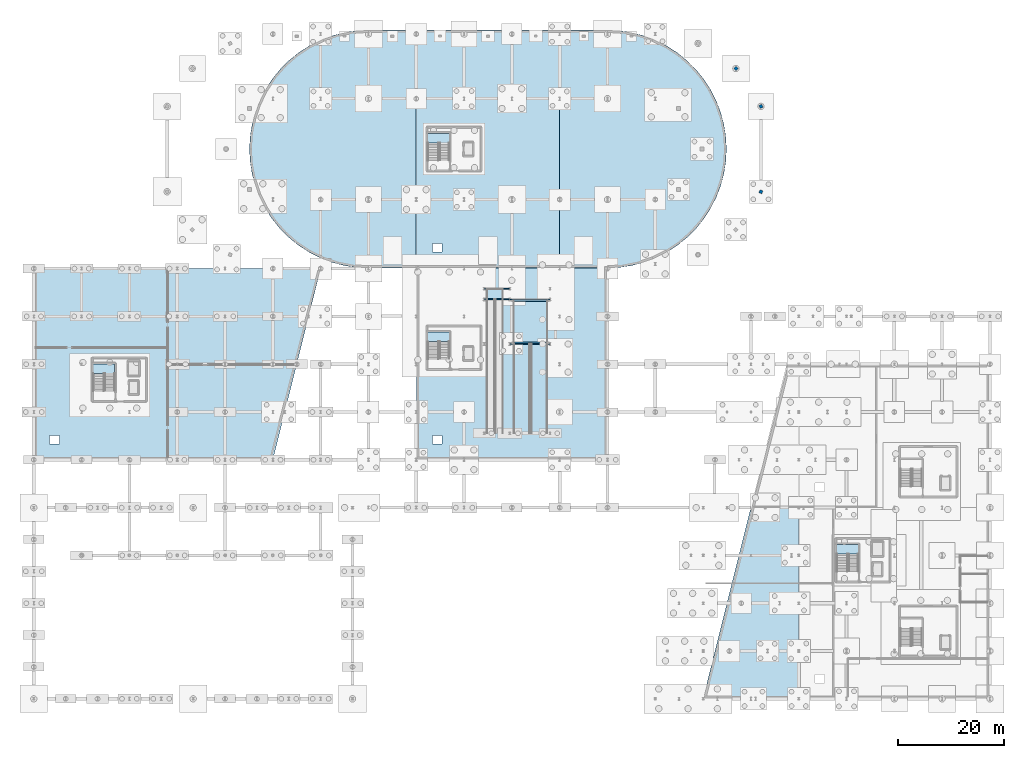
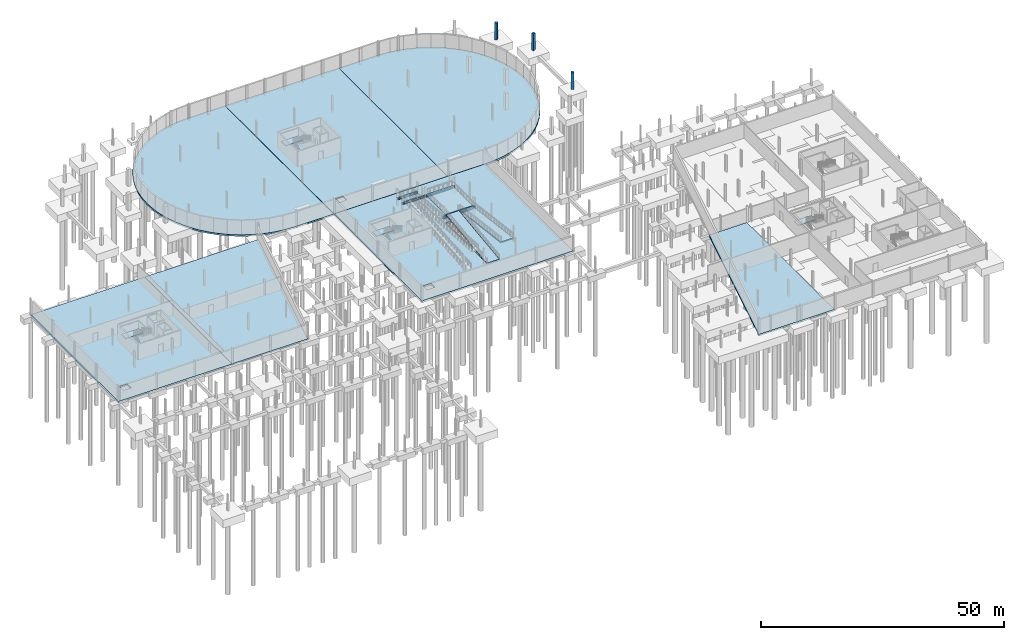
# One storey, part 30 of 42: 15 slabs, 6 beams, 3 columns, 5 elements without a shape of their own.
"""IFC4 building model written with IfcOpenShell, lengths in metres."""

from ifc_helpers import new_model, si_unit, direction, frame, origin, origin_2d, place, context, subcontext, project, spatial, polyline, rectangle, i_section, outline, extrude, material, layer, layer_set, material_profile, profile_set, type_object, element, aggregate, save


model = new_model("IFC4")

# Units and contexts
model_context = context("Model", 3, precision=1e-05, world=origin(), true_north=direction((0.0, 1.0)))
body_context = subcontext(model_context, "Body", "Model", "MODEL_VIEW")
ifc_project = project(units=[si_unit("LENGTHUNIT", "METRE"), si_unit("AREAUNIT", "SQUARE_METRE"), si_unit("VOLUMEUNIT", "CUBIC_METRE"), si_unit("PLANEANGLEUNIT", "RADIAN"), si_unit("MASSUNIT", "GRAM", prefix="KILO")], contexts=[model_context])

# Site, building, storey
site_placement = place(None, origin())
site = spatial("IfcSite", under=ifc_project, at=site_placement, CompositionType="ELEMENT")
building_placement = place(site_placement, origin())
building = spatial("IfcBuilding", under=site, at=building_placement, Name="Deido Ridge Mobility Hub", CompositionType="ELEMENT")
storey_placement = place(building_placement, frame((0.0, 0.0, -4.199951171875)))
storey = spatial("IfcBuildingStorey", under=building, at=storey_placement, Name="B1", CompositionType="ELEMENT", Elevation=-4.199951171875)

# Columns
ifc_material_1 = material(Name="Concrete C40/50", Category="concrete")
ifc_material_profile_1 = material_profile(ifc_material_1, rectangle(XDim=0.60009765625, YDim=0.60009765625, at=origin_2d()), Name="RC COL 600x600")
ifc_profile_set_1 = profile_set([ifc_material_profile_1], Name="Concrete C40/50")
column_type = type_object("IfcColumnType", Name="COL-RC600", PredefinedType="COLUMN", material=ifc_profile_set_1)
for number, where, z_axis, x_axis, name in (
    (1, (136.88818359375, 95.464599609375, 0.0), (0.0, 0.0, 1.0), (0.927183854567, -0.374606593416, 0.0), "Structural column RC2"),
    (2, (136.88818359375, 111.535400390625, 0.0), (0.0, 0.0, 1.0), (0.927183854567, 0.374606593416, 0.0), "Structural column RC2"),
    (3, (132.16748046875, 118.66748046875, 0.0), (0.0, 0.0, 1.0), (0.707106781187, 0.707106781187, 0.0), "Structural column RC2"),
):
    element("IfcColumn", number, at=place(storey_placement, frame(where, z_axis=z_axis, x_axis=x_axis)), inside=storey, type_object=column_type, Name=name, PredefinedType="COLUMN", context=body_context, shape_type="SweptSolid", body=[
        extrude(rectangle(XDim=0.60009765625, YDim=0.60009765625, at=origin_2d()), origin(), (0.0, 0.0, 1.0), 4.199951171875),
    ])

# Beams
ifc_material_2 = material(Name="Steel S355J2 EN 10025-2", Category="steel")
ifc_material_profile_2 = material_profile(ifc_material_2, i_section(OverallWidth=0.300048828125, OverallDepth=0.330078125, WebThickness=0.009521484375, FlangeThickness=0.0166015625, FilletRadius=0.027099609375, at=origin_2d()), Name="HEA 340")
ifc_profile_set_2 = profile_set([ifc_material_profile_2], Name="Steel S355J2 EN 10025-2")
beam_type_1 = type_object("IfcBeamType", Name="BM-HEA340", PredefinedType="BEAM", material=ifc_profile_set_2)
for number, where, z_axis, x_axis, name in (
    (4, (90.14990234375, 67.0, 1.7099609375), (1.0, 0.0, 0.0), (0.0, 1.0, 0.0), "Vehicle ramp half-landing trimmer beam B1"),
    (5, (90.14990234375, 75.0, 1.7099609375), (1.0, 0.0, 0.0), (0.0, 1.0, 0.0), "Vehicle ramp half-landing trimmer beam B1"),
):
    element("IfcBeam", number, at=place(storey_placement, frame(where, z_axis=z_axis, x_axis=x_axis)), inside=storey, type_object=beam_type_1, Name=name, PredefinedType="BEAM", context=body_context, shape_type="SweptSolid", body=[
        extrude(i_section(OverallWidth=0.300048828125, OverallDepth=0.330078125, WebThickness=0.009521484375, FlangeThickness=0.0166015625, FilletRadius=0.027099609375, at=origin_2d()), origin(), (0.0, 0.0, 1.0), 6.7001953125),
    ])
ifc_material_profile_3 = material_profile(ifc_material_2, i_section(OverallWidth=0.18994140625, OverallDepth=0.449951171875, WebThickness=0.009521484375, FlangeThickness=0.0146484375, FilletRadius=0.02099609375, at=origin_2d()), Name="IPE 450")
ifc_profile_set_3 = profile_set([ifc_material_profile_3], Name="Steel S355J2 EN 10025-2")
beam_type_2 = type_object("IfcBeamType", Name="BM-IPE450", PredefinedType="BEAM", material=ifc_profile_set_3)
for number, where, z_axis, x_axis, name in (
    (6, (84.805908203125, 75.199951171875, 1.659912109375), (1.0, 0.0, 0.0), (0.0, 1.0, 0.0), "Ramp landing beam B4"),
    (7, (84.805908203125, 77.199951171875, 1.659912109375), (1.0, 0.0, 0.0), (0.0, 1.0, 0.0), "Ramp landing beam B4"),
):
    element("IfcBeam", number, at=place(storey_placement, frame(where, z_axis=z_axis, x_axis=x_axis)), inside=storey, type_object=beam_type_2, Name=name, PredefinedType="BEAM", context=body_context, shape_type="SweptSolid", body=[
        extrude(i_section(OverallWidth=0.18994140625, OverallDepth=0.449951171875, WebThickness=0.009521484375, FlangeThickness=0.0146484375, FilletRadius=0.02099609375, at=origin_2d()), origin(), (0.0, 0.0, 1.0), 4.7880859375),
    ])
ifc_material_profile_4 = material_profile(ifc_material_2, i_section(OverallWidth=0.199951171875, OverallDepth=0.5, WebThickness=0.01025390625, FlangeThickness=0.01611328125, FilletRadius=0.02099609375, at=origin_2d()), Name="IPE 500")
ifc_profile_set_4 = profile_set([ifc_material_profile_4], Name="Steel S355J2 EN 10025-2")
beam_type_3 = type_object("IfcBeamType", Name="BM-IPE500", PredefinedType="BEAM", material=ifc_profile_set_4)
for number, where, z_axis, x_axis, name in (
    (8, (89.60595703125, 66.800048828125, 1.550048828125), (1.0, 0.0, 0.0), (0.0, 1.0, 0.0), "Ramp landing beam B3"),
    (9, (89.60595703125, 75.199951171875, 1.625), (1.0, 0.0, 0.0), (0.0, 1.0, 0.0), "Ramp landing beam B3"),
):
    element("IfcBeam", number, at=place(storey_placement, frame(where, z_axis=z_axis, x_axis=x_axis)), inside=storey, type_object=beam_type_3, Name=name, PredefinedType="BEAM", context=body_context, shape_type="SweptSolid", body=[
        extrude(i_section(OverallWidth=0.199951171875, OverallDepth=0.5, WebThickness=0.01025390625, FlangeThickness=0.01611328125, FilletRadius=0.02099609375, at=origin_2d()), origin(), (0.0, 0.0, 1.0), 7.588134765625),
    ])

# Slabs
ifc_layer_1 = layer(ifc_material_1, 0.35009765625, Name="Concrete C40/50")
ifc_layer_set_1 = layer_set([ifc_layer_1], Name="Concrete C40/50")
slab_type_1 = type_object("IfcSlabType", Name="SLB-BASE-350", PredefinedType="BASESLAB", material=ifc_layer_set_1)
slab_1_placement = place(storey_placement, frame((0.0, 0.0, -0.35009765625)))
element("IfcSlab", 10, at=slab_1_placement, inside=storey, type_object=slab_type_1, Name="B1 V5 structural deck 2", PredefinedType="BASESLAB", context=body_context, shape_type="SweptSolid", body=[
    extrude(outline(polyline([(45.0, 45.0), (27.0, 45.0), (27.0, 81.0), (54.0, 81.0), (45.0, 45.0)])), origin(), (0.0, 0.0, 1.0), 0.35009765625),
])
slab_2_placement = place(storey_placement, frame((0.0, 0.0, -0.35009765625)))
element("IfcSlab", 11, at=slab_2_placement, inside=storey, type_object=slab_type_1, Name="B1 V4 structural deck 5", PredefinedType="BASESLAB", context=body_context, shape_type="SweptSolid", body=[
    extrude(outline(polyline([(99.0, 81.10009765625), (72.02490234375, 81.10009765625), (72.02490234375, 125.89990234375), (99.0, 125.89990234375), (99.0, 81.10009765625)]), holes=[polyline([(75.02490234375, 85.699951171875), (76.824951171875, 85.699951171875), (76.824951171875, 84.10009765625), (75.02490234375, 84.10009765625), (75.02490234375, 85.699951171875)])]), origin(), (0.0, 0.0, 1.0), 0.35009765625),
])
ifc_layer_2 = layer(ifc_material_1, 0.39990234375, Name="Concrete C40/50")
ifc_layer_set_2 = layer_set([ifc_layer_2], Name="Concrete C40/50")
slab_type_2 = type_object("IfcSlabType", Name="SLB-BASE-400", PredefinedType="BASESLAB", material=ifc_layer_set_2)
slab_3_placement = place(storey_placement, frame((0.0, 0.0, -0.400146484375)))
element("IfcSlab", 12, at=slab_3_placement, inside=storey, type_object=slab_type_2, Name="B1 V5 structural deck 1", PredefinedType="BASESLAB", context=body_context, shape_type="SweptSolid", body=[
    extrude(outline(polyline([(0.0, 81.0), (27.0, 81.0), (27.0, 45.0), (0.0, 45.0), (0.0, 81.0)]), holes=[polyline([(3.0, 49.60009765625), (4.800048828125, 49.60009765625), (4.800048828125, 48.0), (3.0, 48.0), (3.0, 49.60009765625)])]), origin(), (0.0, 0.0, 1.0), 0.400146484375),
])
slab_4_placement = place(storey_placement, frame((0.0, 0.0, -0.400146484375)))
element("IfcSlab", 13, at=slab_4_placement, inside=storey, type_object=slab_type_2, Name="B1 V4 structural deck 4", PredefinedType="BASESLAB", context=body_context, shape_type="SweptSolid", body=[
    extrude(outline(polyline([(60.65869140625, 81.22265625), (58.3427734375, 81.589599609375), (56.077880859375, 82.1962890625), (53.88916015625, 83.03662109375), (51.800048828125, 84.10107421875), (49.83349609375, 85.3779296875), (48.011474609375, 86.853515625), (46.353515625, 88.511474609375), (44.8779296875, 90.33349609375), (43.60107421875, 92.300048828125), (42.53662109375, 94.38916015625), (41.6962890625, 96.577880859375), (41.089599609375, 98.8427734375), (40.72265625, 101.15869140625), (40.60009765625, 103.5), (40.72265625, 105.84130859375), (41.089599609375, 108.1572265625), (41.6962890625, 110.422119140625), (42.53662109375, 112.61083984375), (43.60107421875, 114.699951171875), (44.8779296875, 116.66650390625), (46.353515625, 118.488525390625), (48.011474609375, 120.146484375), (49.83349609375, 121.6220703125), (51.800048828125, 122.89892578125), (53.88916015625, 123.96337890625), (56.077880859375, 124.8037109375), (58.3427734375, 125.410400390625), (60.65869140625, 125.77734375), (63.0, 125.89990234375), (71.97509765625, 125.89990234375), (71.97509765625, 81.10009765625), (63.0, 81.10009765625), (60.65869140625, 81.22265625)])), origin(), (0.0, 0.0, 1.0), 0.400146484375),
])
slab_5_placement = place(storey_placement, frame((0.0, 0.0, -0.400146484375)))
element("IfcSlab", 14, at=slab_5_placement, inside=storey, type_object=slab_type_2, Name="B1 V6 structural deck 7", PredefinedType="BASESLAB", context=body_context, shape_type="SweptSolid", body=[
    extrude(outline(polyline([(135.0, 36.0), (143.97509765625, 36.0), (143.97509765625, 0.0), (126.0, 0.0), (135.0, 36.0)])), origin(), (0.0, 0.0, 1.0), 0.400146484375),
])
ifc_layer_3 = layer(ifc_material_1, 0.449951171875, Name="Concrete C40/50")
ifc_layer_set_3 = layer_set([ifc_layer_3], Name="Concrete C40/50")
slab_type_3 = type_object("IfcSlabType", Name="SLB-BASE-450", PredefinedType="BASESLAB", material=ifc_layer_set_3)
slab_6_placement = place(storey_placement, frame((0.0, 0.0, -0.449951171875)))
element("IfcSlab", 15, at=slab_6_placement, inside=storey, type_object=slab_type_3, Name="B1 V2 structural deck 3", PredefinedType="BASESLAB", context=body_context, shape_type="SweptSolid", body=[
    extrude(outline(polyline([(108.0, 81.10009765625), (108.0, 45.0), (72.02490234375, 45.0), (72.02490234375, 81.10009765625), (108.0, 81.10009765625)]), holes=[polyline([(75.02490234375, 49.60009765625), (76.824951171875, 49.60009765625), (76.824951171875, 48.0), (75.02490234375, 48.0), (75.02490234375, 49.60009765625)]), polyline([(90.300048828125, 66.820068359375), (93.39990234375, 66.820068359375), (93.39990234375, 50.0), (90.300048828125, 50.0), (90.300048828125, 66.820068359375)])]), origin(), (0.0, 0.0, 1.0), 0.449951171875),
])
slab_7_placement = place(storey_placement, frame((0.0, 0.0, -0.449951171875)))
element("IfcSlab", 16, at=slab_7_placement, inside=storey, type_object=slab_type_3, Name="B1 V4 structural deck 6", PredefinedType="BASESLAB", context=body_context, shape_type="SweptSolid", body=[
    extrude(outline(polyline([(110.34130859375, 125.77734375), (112.6572265625, 125.410400390625), (114.922119140625, 124.8037109375), (117.11083984375, 123.96337890625), (119.199951171875, 122.89892578125), (121.16650390625, 121.6220703125), (122.988525390625, 120.146484375), (124.646484375, 118.488525390625), (126.1220703125, 116.66650390625), (127.39892578125, 114.699951171875), (128.46337890625, 112.61083984375), (129.3037109375, 110.422119140625), (129.910400390625, 108.1572265625), (130.27734375, 105.84130859375), (130.39990234375, 103.5), (130.27734375, 101.15869140625), (129.910400390625, 98.8427734375), (129.3037109375, 96.577880859375), (128.46337890625, 94.38916015625), (127.39892578125, 92.300048828125), (126.1220703125, 90.33349609375), (124.646484375, 88.511474609375), (122.988525390625, 86.853515625), (121.16650390625, 85.3779296875), (119.199951171875, 84.10107421875), (117.11083984375, 83.03662109375), (114.922119140625, 82.1962890625), (112.6572265625, 81.589599609375), (110.34130859375, 81.22265625), (108.0, 81.10009765625), (99.0, 81.10009765625), (99.0, 125.89990234375), (108.0, 125.89990234375), (110.34130859375, 125.77734375)])), origin(), (0.0, 0.0, 1.0), 0.449951171875),
])

# Ramp, slab
ifc_material_3 = material(Name="Concrete C35/45", Category="concrete")
ramp_type = type_object("IfcRampType", Name="RAMP-CYC-STRAIGHT", PredefinedType="STRAIGHT_RUN_RAMP", material=ifc_material_3)
ramp_placement = place(storey_placement, origin())
ramp = element("IfcRamp", 17, at=ramp_placement, inside=storey, type_object=ramp_type, Name="Cycle and accessible ramp CR1 B1", PredefinedType="STRAIGHT_RUN_RAMP")
ifc_layer_4 = layer(ifc_material_3, 0.215087890625, Name="Concrete C35/45")
ifc_layer_set_4 = layer_set([ifc_layer_4], Name="Concrete C35/45")
slab_type_4 = type_object("IfcSlabType", Name="SLB-LND-215", PredefinedType="LANDING", material=ifc_layer_set_4)
slab_8_placement = place(storey_placement, frame((0.0, 0.0, 1.885009765625)))
slab_8 = element("IfcSlab", 18, at=slab_8_placement, type_object=slab_type_4, Name="Cycle ramp landing B1", PredefinedType="LANDING", context=body_context, shape_type="SweptSolid", body=[
    extrude(outline(polyline([(85.25, 75.199951171875), (88.35009765625, 75.199951171875), (88.35009765625, 77.199951171875), (85.25, 77.199951171875), (85.25, 75.199951171875)])), origin(), (0.0, 0.0, 1.0), 0.21484375),
])
aggregate(ramp, [slab_8])

# Slabs
ifc_layer_5 = layer(ifc_material_3, 0.22509765625, Name="Concrete C35/45")
ifc_layer_set_5 = layer_set([ifc_layer_5], Name="Concrete C35/45")
slab_type_5 = type_object("IfcSlabType", Name="SLB-LND-225", PredefinedType="LANDING", material=ifc_layer_set_5)
slab_9_placement = place(storey_placement, frame((0.0, 0.0, 1.875)))
element("IfcSlab", 19, at=slab_9_placement, inside=storey, type_object=slab_type_5, Name="Vehicle ramp structural half-landing B1", PredefinedType="LANDING", context=body_context, shape_type="SweptSolid", body=[
    extrude(outline(polyline([(90.300048828125, 66.800048828125), (96.699951171875, 66.800048828125), (96.699951171875, 75.199951171875), (90.300048828125, 75.199951171875), (90.300048828125, 66.800048828125)])), origin(), (0.0, 0.0, 1.0), 0.224853515625),
])
ifc_layer_6 = layer(ifc_material_3, 0.280029296875, Name="Concrete C35/45")
ifc_layer_set_6 = layer_set([ifc_layer_6], Name="Concrete C35/45")
slab_type_6 = type_object("IfcSlabType", Name="SLB-RMP-280", PredefinedType="FLOOR", material=ifc_layer_set_6)
slab_10_placement = place(storey_placement, frame((90.35009765625, 50.050048828125, 0.0), z_axis=(0.0, -0.124757721378, 0.992187235836), x_axis=(1.0, 0.0, 0.0)))
element("IfcSlab", 20, at=slab_10_placement, inside=storey, type_object=slab_type_6, Name="Vehicle ramp structural slab VR1 B1-1", PredefinedType="FLOOR", context=body_context, shape_type="SweptSolid", body=[
    extrude(outline(polyline([(0.0, 0.0), (3.0, 0.0), (3.0, 16.831451331661565), (0.0, 16.831451331661565), (0.0, 0.0)])), origin(), (0.0, 0.0, -1.0), 0.280029296875),
])
slab_11_placement = place(storey_placement, frame((93.64990234375, 66.75, 2.099853515625), z_axis=(0.0, 0.124772000601, 0.992185440261), x_axis=(1.0, 0.0, 0.0)))
element("IfcSlab", 21, at=slab_11_placement, inside=storey, type_object=slab_type_6, Name="Vehicle ramp structural slab VR1 B1-2", PredefinedType="FLOOR", context=body_context, shape_type="SweptSolid", body=[
    extrude(outline(polyline([(0.0, 0.0), (3.0, 0.0), (3.0, -16.831481791832708), (0.0, -16.831481791832708), (0.0, 0.0)])), origin(), (0.0, 0.0, -1.0), 0.280029296875),
])

# Stair, slab
stair_type_1 = type_object("IfcStairType", Name="ST-CORE-DBL-1520", PredefinedType="DOUBLE_RETURN_STAIR", material=ifc_material_3)
stair_1_placement = place(storey_placement, origin())
stair_1 = element("IfcStair", 22, at=stair_1_placement, inside=storey, type_object=stair_type_1, Name="Protected exit stair ST4 (B1)", PredefinedType="DOUBLE_RETURN_STAIR")
ifc_layer_7 = layer(ifc_material_3, 0.18994140625, Name="Concrete C35/45")
ifc_layer_set_7 = layer_set([ifc_layer_7], Name="Concrete C35/45")
slab_type_7 = type_object("IfcSlabType", Name="SLB-STLND-190", PredefinedType="LANDING", material=ifc_layer_set_7)
slab_12_placement = place(storey_placement, frame((0.0, 0.0, 1.909912109375)))
slab_12 = element("IfcSlab", 23, at=slab_12_placement, type_object=slab_type_7, Name="ST4 landing 1", PredefinedType="LANDING", context=body_context, shape_type="SweptSolid", body=[
    extrude(outline(polyline([(74.14990234375, 67.25), (78.235107421875, 67.25), (78.235107421875, 69.074951171875), (74.14990234375, 69.074951171875), (74.14990234375, 67.25)])), origin(), (0.0, 0.0, 1.0), 0.18994140625),
])
aggregate(stair_1, [slab_12])

stair_2_placement = place(storey_placement, origin())
stair_2 = element("IfcStair", 24, at=stair_2_placement, inside=storey, type_object=stair_type_1, Name="Protected exit stair ST5 (B1)", PredefinedType="DOUBLE_RETURN_STAIR")
slab_13_placement = place(storey_placement, frame((0.0, 0.0, 1.909912109375)))
slab_13 = element("IfcSlab", 25, at=slab_13_placement, type_object=slab_type_7, Name="ST5 landing 1", PredefinedType="LANDING", context=body_context, shape_type="SweptSolid", body=[
    extrude(outline(polyline([(74.14990234375, 104.64990234375), (78.235107421875, 104.64990234375), (78.235107421875, 106.47509765625), (74.14990234375, 106.47509765625), (74.14990234375, 104.64990234375)])), origin(), (0.0, 0.0, 1.0), 0.18994140625),
])
aggregate(stair_2, [slab_13])

stair_type_2 = type_object("IfcStairType", Name="ST-CORE-HALF-1520", PredefinedType="HALF_TURN_STAIR", material=ifc_material_3)
stair_3_placement = place(storey_placement, origin())
stair_3 = element("IfcStair", 26, at=stair_3_placement, inside=storey, type_object=stair_type_2, Name="Protected exit stair ST3 (B1)", PredefinedType="HALF_TURN_STAIR")
ifc_layer_8 = layer(ifc_material_3, 0.199951171875, Name="Concrete C35/45")
ifc_layer_set_8 = layer_set([ifc_layer_8], Name="Concrete C35/45")
slab_type_8 = type_object("IfcSlabType", Name="SLB-STLND-200", PredefinedType="LANDING", material=ifc_layer_set_8)
slab_14_placement = place(storey_placement, frame((0.0, 0.0, 1.89990234375)))
slab_14 = element("IfcSlab", 27, at=slab_14_placement, type_object=slab_type_8, Name="ST3 landing 1", PredefinedType="LANDING", context=body_context, shape_type="SweptSolid", body=[
    extrude(outline(polyline([(151.14990234375, 27.25), (155.235107421875, 27.25), (155.235107421875, 29.074951171875), (151.14990234375, 29.074951171875), (151.14990234375, 27.25)])), origin(), (0.0, 0.0, 1.0), 0.199951171875),
])
aggregate(stair_3, [slab_14])

stair_4_placement = place(storey_placement, origin())
stair_4 = element("IfcStair", 28, at=stair_4_placement, inside=storey, type_object=stair_type_2, Name="Protected exit stair ST6 (B1)", PredefinedType="HALF_TURN_STAIR")
slab_15_placement = place(storey_placement, frame((0.0, 0.0, 1.89990234375)))
slab_15 = element("IfcSlab", 29, at=slab_15_placement, type_object=slab_type_8, Name="ST6 landing 1", PredefinedType="LANDING", context=body_context, shape_type="SweptSolid", body=[
    extrude(outline(polyline([(11.14990234375, 61.25), (15.235107421875, 61.25), (15.235107421875, 63.074951171875), (11.14990234375, 63.074951171875), (11.14990234375, 61.25)])), origin(), (0.0, 0.0, 1.0), 0.199951171875),
])
aggregate(stair_4, [slab_15])

save(model, "model.ifc")
